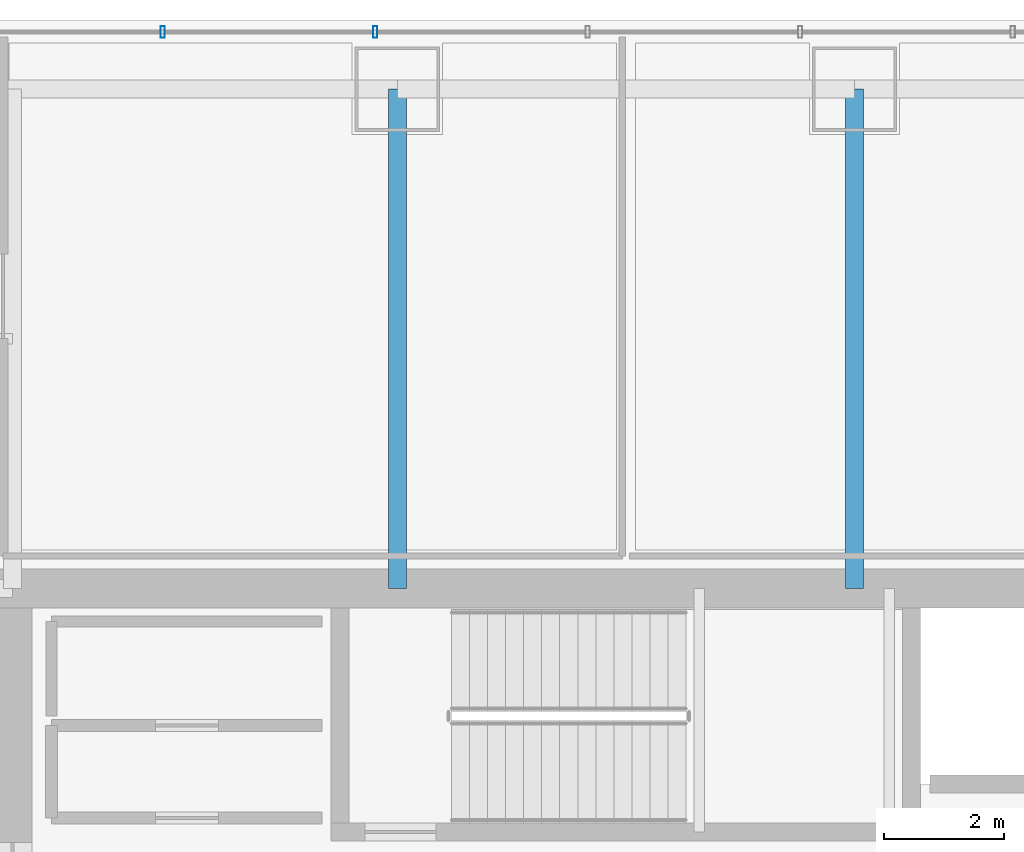
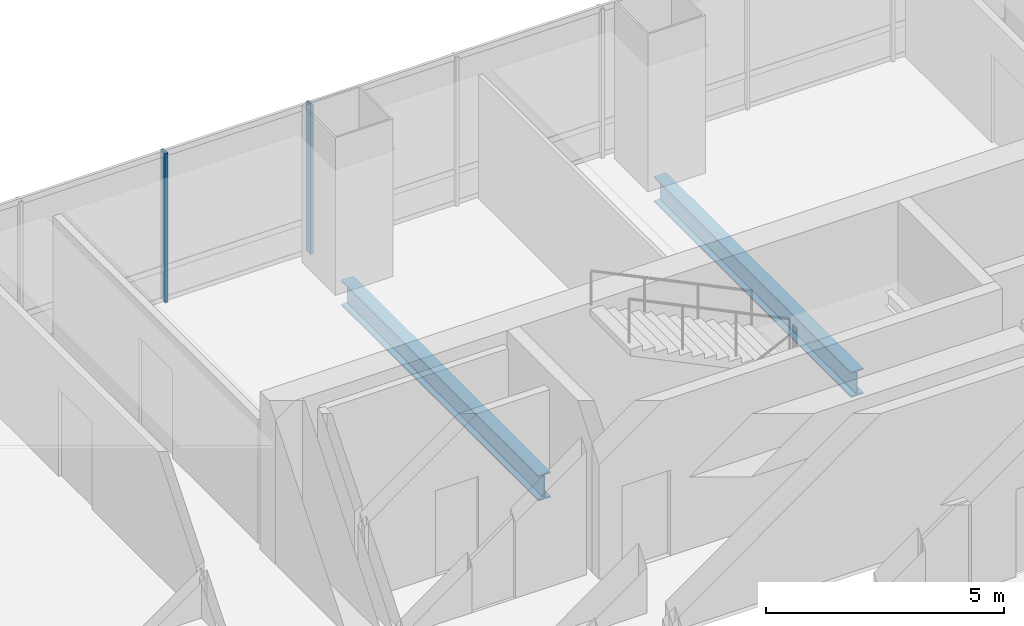
# One storey, part 22 of 37: 2 beams, 2 members, 1 element without a shape of its own.
"""IFC4 building model written with IfcOpenShell, lengths in metres."""

from ifc_helpers import new_model, si_unit, direction, frame, origin, origin_2d, place, context, subcontext, project, spatial, hollow_rectangle, i_section, extrude, material, material_profile, profile_set, type_object, element, aggregate, save


model = new_model("IFC4")

# Units and contexts
model_context = context("Model", 3, precision=1e-05, world=origin(), true_north=direction((0.0, 1.0)))
body_context = subcontext(model_context, "Body", "Model", "MODEL_VIEW")
ifc_project = project(units=[si_unit("LENGTHUNIT", "METRE"), si_unit("AREAUNIT", "SQUARE_METRE"), si_unit("VOLUMEUNIT", "CUBIC_METRE"), si_unit("PLANEANGLEUNIT", "RADIAN"), si_unit("MASSUNIT", "GRAM", prefix="KILO")], contexts=[model_context])

# Site, building, storey
site_placement = place(None, origin())
site = spatial("IfcSite", under=ifc_project, at=site_placement, CompositionType="ELEMENT")
building_placement = place(site_placement, origin())
building = spatial("IfcBuilding", under=site, at=building_placement, Name="Punatoya Terracotta Tower", CompositionType="ELEMENT")
storey_placement = place(building_placement, frame((0.0, 0.0, 192.449951171875)))
storey = spatial("IfcBuildingStorey", under=building, at=storey_placement, Name="L45", CompositionType="ELEMENT", Elevation=192.449951171875)

# Beams
ifc_material_1 = material(Name="Steel S355", Category="steel")
ifc_material_profile_1 = material_profile(ifc_material_1, i_section(OverallWidth=0.300048828125, OverallDepth=0.64990234375, WebThickness=0.01611328125, FlangeThickness=0.031005859375, FilletRadius=0.01806640625, at=origin_2d()))
ifc_profile_set_1 = profile_set([ifc_material_profile_1], Name="Steel S355")
beam_type = type_object("IfcBeamType", Name="BM-PRI-650", PredefinedType="BEAM", material=ifc_profile_set_1)
for number, where, z_axis, x_axis, name in (
    (1, (-3.800048828125, 9.199951171875, -0.544921875), (0.0, 1.0, 0.0), (-1.0, 0.0, 0.0), "BM-L45-PR-N2"),
    (2, (3.800048828125, 9.199951171875, -0.544921875), (0.0, 1.0, 0.0), (-1.0, 0.0, 0.0), "BM-L45-PR-N3"),
):
    element("IfcBeam", number, at=place(storey_placement, frame(where, z_axis=z_axis, x_axis=x_axis)), inside=storey, type_object=beam_type, Name=name, PredefinedType="BEAM", context=body_context, shape_type="SweptSolid", body=[
        extrude(i_section(OverallWidth=0.300048828125, OverallDepth=0.64990234375, WebThickness=0.01611328125, FlangeThickness=0.031005859375, FilletRadius=0.01806640625, at=origin_2d()), origin(), (0.0, 0.0, 1.0), 8.300048828125),
    ])

# Curtain wall, members
ifc_material_2 = material(Name="Aluminium 6063-T6 + Double Low-E Glass", Category="aluminium")
curtain_wall_type = type_object("IfcCurtainWallType", Name="CW-M2", PredefinedType="NOTDEFINED", material=ifc_material_2)
curtain_wall_placement = place(storey_placement, origin())
curtain_wall = element("IfcCurtainWall", 3, at=curtain_wall_placement, inside=storey, type_object=curtain_wall_type, Name="L45 Curtain Wall CW-L45-N09-1", PredefinedType="NOTDEFINED")
ifc_material_3 = material(Name="Aluminium 6063-T6", Category="aluminium")
ifc_material_profile_2 = material_profile(ifc_material_3, hollow_rectangle(XDim=0.072021484375, YDim=0.195068359375, WallThickness=0.00439453125, at=origin_2d()))
ifc_profile_set_2 = profile_set([ifc_material_profile_2], Name="Aluminium 6063-T6")
member_type = type_object("IfcMemberType", Name="CW-MUL-M2", PredefinedType="MULLION", material=ifc_profile_set_2)
member_1_placement = place(storey_placement, frame((-4.1669921875, 18.449951171875, 0.0), z_axis=(0.0, 0.0, 1.0), x_axis=(1.0, 0.0, 0.0)))
member_1 = element("IfcMember", 4, at=member_1_placement, type_object=member_type, Name="CW-L45-N09-1 Mullion 06", PredefinedType="MULLION", context=body_context, shape_type="SweptSolid", body=[
    extrude(hollow_rectangle(XDim=0.072021484375, YDim=0.195068359375, WallThickness=0.00439453125, at=origin_2d()), origin(), (0.0, 0.0, 1.0), 3.830078125),
])
member_2_placement = place(storey_placement, frame((-7.700927734375, 18.449951171875, 0.0), z_axis=(0.0, 0.0, 1.0), x_axis=(1.0, 0.0, 0.0)))
member_2 = element("IfcMember", 5, at=member_2_placement, type_object=member_type, Name="CW-L45-N09-1 Mullion 07", PredefinedType="MULLION", context=body_context, shape_type="SweptSolid", body=[
    extrude(hollow_rectangle(XDim=0.072021484375, YDim=0.195068359375, WallThickness=0.00439453125, at=origin_2d()), origin(), (0.0, 0.0, 1.0), 3.830078125),
])
aggregate(curtain_wall, [member_1, member_2])

save(model, "model.ifc")
